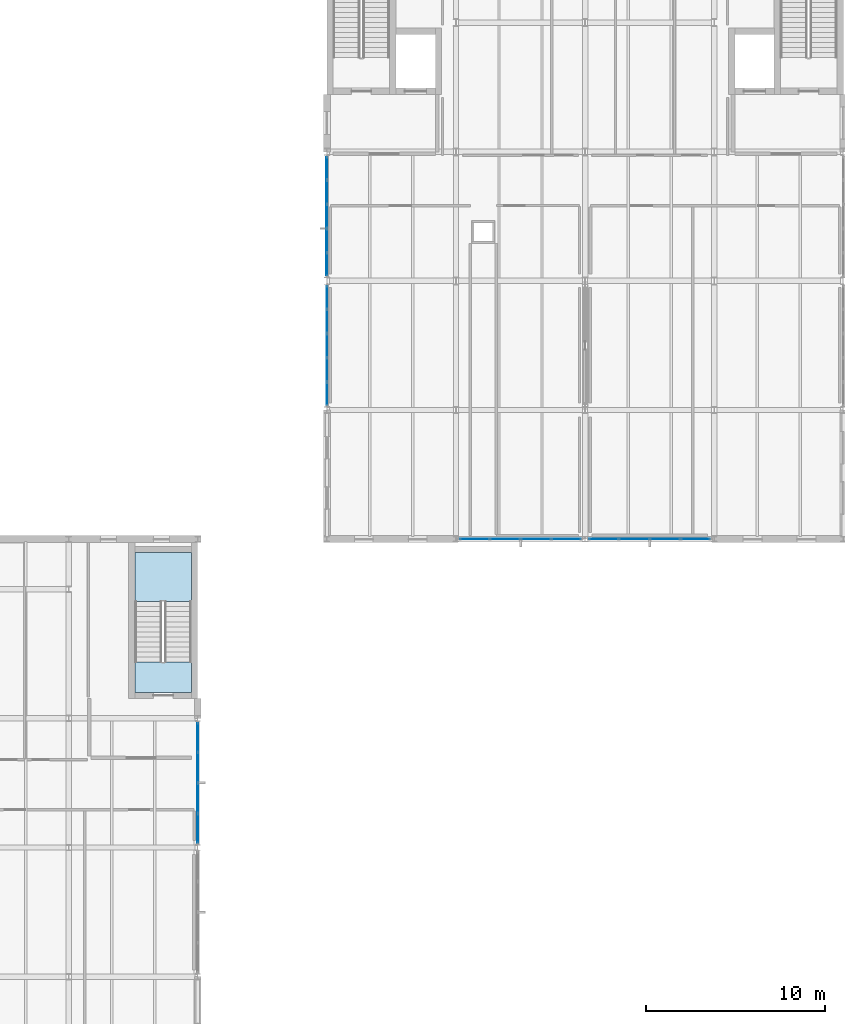
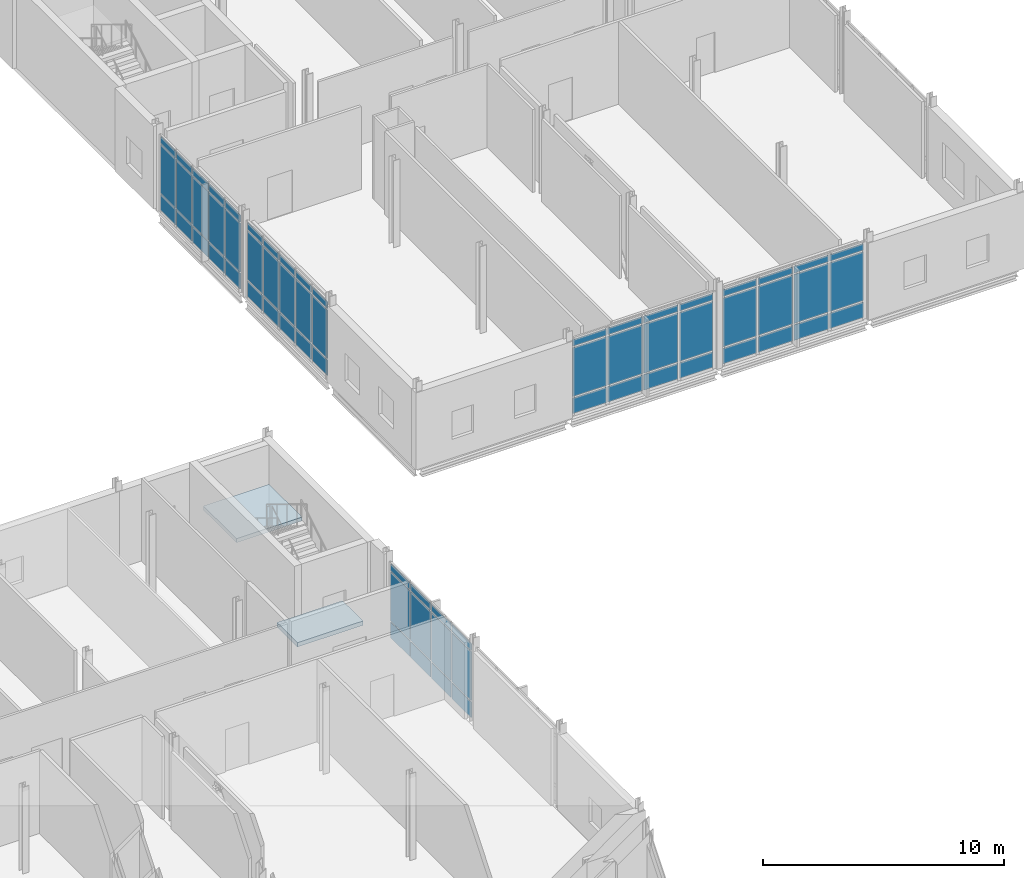
# One storey, part 39 of 72: 66 plates, 2 slabs, 6 elements without a shape of their own.
"""IFC4 building model written with IfcOpenShell, lengths in metres."""

from ifc_helpers import new_model, si_unit, direction, frame, origin, origin_2d, place, context, subcontext, project, spatial, polyline, rectangle, outline, extrude, material, layer, layer_set, type_object, element, aggregate, save


model = new_model("IFC4")

# Units and contexts
model_context = context("Model", 3, precision=1e-05, world=origin(), true_north=direction((0.0, 1.0)))
body_context = subcontext(model_context, "Body", "Model", "MODEL_VIEW")
ifc_project = project(units=[si_unit("LENGTHUNIT", "METRE"), si_unit("AREAUNIT", "SQUARE_METRE"), si_unit("VOLUMEUNIT", "CUBIC_METRE"), si_unit("PLANEANGLEUNIT", "RADIAN"), si_unit("MASSUNIT", "GRAM", prefix="KILO")], contexts=[model_context])

# Site, building, storey
site_placement = place(None, origin())
site = spatial("IfcSite", under=ifc_project, at=site_placement, CompositionType="ELEMENT")
building_placement = place(site_placement, origin())
building = spatial("IfcBuilding", under=site, at=building_placement, Name="Zarrinpeak Specialist Clinic", CompositionType="ELEMENT")
storey_placement = place(building_placement, frame((0.0, 0.0, 9.60009765625)))
storey = spatial("IfcBuildingStorey", under=building, at=storey_placement, Name="L02", CompositionType="ELEMENT", Elevation=9.60009765625)

# Curtain wall, plates
ifc_material_1 = material(Name="Anodised Aluminium Alloy 6063-T6", Category="aluminium")
ifc_layer_1 = layer(ifc_material_1, 0.179931640625)
ifc_layer_set_1 = layer_set([ifc_layer_1], Name="Anodised Aluminium Alloy 6063-T6")
curtain_wall_type_1 = type_object("IfcCurtainWallType", Name="CW-COURT", PredefinedType="NOTDEFINED", material=ifc_layer_set_1)
curtain_wall_1_placement = place(storey_placement, origin())
curtain_wall_1 = element("IfcCurtainWall", 1, at=curtain_wall_1_placement, inside=storey, type_object=curtain_wall_type_1, Name="L02 V6 Unitised Curtain Wall CW-L02-V6-141", PredefinedType="NOTDEFINED")
ifc_material_2 = material(Name="Double Low-E Insulated Glazing", Category="glass")
ifc_layer_2 = layer(ifc_material_2, 0.028076171875)
ifc_layer_set_2 = layer_set([ifc_layer_2], Name="Double Low-E Insulated Glazing")
plate_type_1 = type_object("IfcPlateType", Name="CWP-GLZ28", PredefinedType="CURTAIN_PANEL", material=ifc_layer_set_2)
plate_1_placement = place(storey_placement, frame((44.242431640625, 82.0, 0.074951171875), z_axis=(0.0, 0.0, 1.0), x_axis=(1.0, 0.0, 0.0)))
plate_1 = element("IfcPlate", 2, at=plate_1_placement, type_object=plate_type_1, Name="CW-01 panel 1.1", PredefinedType="CURTAIN_PANEL", context=body_context, shape_type="SweptSolid", body=[
    extrude(rectangle(XDim=1.60498046875, YDim=0.028076171875, at=origin_2d()), origin(), (0.0, 0.0, 1.0), 0.78759765625),
])
plate_2_placement = place(storey_placement, frame((44.242431640625, 82.0, 0.937255859375), z_axis=(0.0, 0.0, 1.0), x_axis=(1.0, 0.0, 0.0)))
plate_2 = element("IfcPlate", 3, at=plate_2_placement, type_object=plate_type_1, Name="CW-01 panel 1.2", PredefinedType="CURTAIN_PANEL", context=body_context, shape_type="SweptSolid", body=[
    extrude(rectangle(XDim=1.60498046875, YDim=0.028076171875, at=origin_2d()), origin(), (0.0, 0.0, 1.0), 2.47509765625),
])
plate_3_placement = place(storey_placement, frame((44.242431640625, 82.0, 3.487548828125), z_axis=(0.0, 0.0, 1.0), x_axis=(1.0, 0.0, 0.0)))
plate_3 = element("IfcPlate", 4, at=plate_3_placement, type_object=plate_type_1, Name="CW-01 panel 1.3", PredefinedType="CURTAIN_PANEL", context=body_context, shape_type="SweptSolid", body=[
    extrude(rectangle(XDim=1.60498046875, YDim=0.028076171875, at=origin_2d()), origin(), (0.0, 0.0, 1.0), 0.33740234375),
])
plate_4_placement = place(storey_placement, frame((45.941162109375, 82.0, 0.074951171875), z_axis=(0.0, 0.0, 1.0), x_axis=(1.0, 0.0, 0.0)))
plate_4 = element("IfcPlate", 5, at=plate_4_placement, type_object=plate_type_1, Name="CW-01 panel 2.1", PredefinedType="CURTAIN_PANEL", context=body_context, shape_type="SweptSolid", body=[
    extrude(rectangle(XDim=1.642578125, YDim=0.028076171875, at=origin_2d()), origin(), (0.0, 0.0, 1.0), 0.78759765625),
])
plate_5_placement = place(storey_placement, frame((45.941162109375, 82.0, 0.937255859375), z_axis=(0.0, 0.0, 1.0), x_axis=(1.0, 0.0, 0.0)))
plate_5 = element("IfcPlate", 6, at=plate_5_placement, type_object=plate_type_1, Name="CW-01 panel 2.2", PredefinedType="CURTAIN_PANEL", context=body_context, shape_type="SweptSolid", body=[
    extrude(rectangle(XDim=1.642578125, YDim=0.028076171875, at=origin_2d()), origin(), (0.0, 0.0, 1.0), 2.47509765625),
])
plate_6_placement = place(storey_placement, frame((45.941162109375, 82.0, 3.487548828125), z_axis=(0.0, 0.0, 1.0), x_axis=(1.0, 0.0, 0.0)))
plate_6 = element("IfcPlate", 7, at=plate_6_placement, type_object=plate_type_1, Name="CW-01 panel 2.3", PredefinedType="CURTAIN_PANEL", context=body_context, shape_type="SweptSolid", body=[
    extrude(rectangle(XDim=1.642578125, YDim=0.028076171875, at=origin_2d()), origin(), (0.0, 0.0, 1.0), 0.33740234375),
])
plate_7_placement = place(storey_placement, frame((47.65869140625, 82.0, 0.074951171875), z_axis=(0.0, 0.0, 1.0), x_axis=(1.0, 0.0, 0.0)))
plate_7 = element("IfcPlate", 8, at=plate_7_placement, type_object=plate_type_1, Name="CW-01 panel 3.1", PredefinedType="CURTAIN_PANEL", context=body_context, shape_type="SweptSolid", body=[
    extrude(rectangle(XDim=1.642578125, YDim=0.028076171875, at=origin_2d()), origin(), (0.0, 0.0, 1.0), 0.78759765625),
])
plate_8_placement = place(storey_placement, frame((47.65869140625, 82.0, 0.937255859375), z_axis=(0.0, 0.0, 1.0), x_axis=(1.0, 0.0, 0.0)))
plate_8 = element("IfcPlate", 9, at=plate_8_placement, type_object=plate_type_1, Name="CW-01 panel 3.2", PredefinedType="CURTAIN_PANEL", context=body_context, shape_type="SweptSolid", body=[
    extrude(rectangle(XDim=1.642578125, YDim=0.028076171875, at=origin_2d()), origin(), (0.0, 0.0, 1.0), 2.47509765625),
])
plate_9_placement = place(storey_placement, frame((47.65869140625, 82.0, 3.487548828125), z_axis=(0.0, 0.0, 1.0), x_axis=(1.0, 0.0, 0.0)))
plate_9 = element("IfcPlate", 10, at=plate_9_placement, type_object=plate_type_1, Name="CW-01 panel 3.3", PredefinedType="CURTAIN_PANEL", context=body_context, shape_type="SweptSolid", body=[
    extrude(rectangle(XDim=1.642578125, YDim=0.028076171875, at=origin_2d()), origin(), (0.0, 0.0, 1.0), 0.33740234375),
])
plate_10_placement = place(storey_placement, frame((49.357421875, 82.0, 0.074951171875), z_axis=(0.0, 0.0, 1.0), x_axis=(1.0, 0.0, 0.0)))
plate_10 = element("IfcPlate", 11, at=plate_10_placement, type_object=plate_type_1, Name="CW-01 panel 4.1", PredefinedType="CURTAIN_PANEL", context=body_context, shape_type="SweptSolid", body=[
    extrude(rectangle(XDim=1.60498046875, YDim=0.028076171875, at=origin_2d()), origin(), (0.0, 0.0, 1.0), 0.78759765625),
])
plate_11_placement = place(storey_placement, frame((49.357421875, 82.0, 0.937255859375), z_axis=(0.0, 0.0, 1.0), x_axis=(1.0, 0.0, 0.0)))
plate_11 = element("IfcPlate", 12, at=plate_11_placement, type_object=plate_type_1, Name="CW-01 panel 4.2", PredefinedType="CURTAIN_PANEL", context=body_context, shape_type="SweptSolid", body=[
    extrude(rectangle(XDim=1.60498046875, YDim=0.028076171875, at=origin_2d()), origin(), (0.0, 0.0, 1.0), 2.47509765625),
])
plate_12_placement = place(storey_placement, frame((49.357421875, 82.0, 3.487548828125), z_axis=(0.0, 0.0, 1.0), x_axis=(1.0, 0.0, 0.0)))
plate_12 = element("IfcPlate", 13, at=plate_12_placement, type_object=plate_type_1, Name="CW-01 panel 4.3", PredefinedType="CURTAIN_PANEL", context=body_context, shape_type="SweptSolid", body=[
    extrude(rectangle(XDim=1.60498046875, YDim=0.028076171875, at=origin_2d()), origin(), (0.0, 0.0, 1.0), 0.33740234375),
])
aggregate(curtain_wall_1, [plate_1, plate_2, plate_3, plate_4, plate_5, plate_6, plate_7, plate_8, plate_9, plate_10, plate_11, plate_12])

curtain_wall_2_placement = place(storey_placement, origin())
curtain_wall_2 = element("IfcCurtainWall", 14, at=curtain_wall_2_placement, inside=storey, type_object=curtain_wall_type_1, Name="L02 V6 Unitised Curtain Wall CW-L02-V6-142", PredefinedType="NOTDEFINED")
plate_13_placement = place(storey_placement, frame((51.4423828125, 82.0, 0.074951171875), z_axis=(0.0, 0.0, 1.0), x_axis=(1.0, 0.0, 0.0)))
plate_13 = element("IfcPlate", 15, at=plate_13_placement, type_object=plate_type_1, Name="CW-01 panel 1.1", PredefinedType="CURTAIN_PANEL", context=body_context, shape_type="SweptSolid", body=[
    extrude(rectangle(XDim=1.60498046875, YDim=0.028076171875, at=origin_2d()), origin(), (0.0, 0.0, 1.0), 0.78759765625),
])
plate_14_placement = place(storey_placement, frame((51.4423828125, 82.0, 0.937255859375), z_axis=(0.0, 0.0, 1.0), x_axis=(1.0, 0.0, 0.0)))
plate_14 = element("IfcPlate", 16, at=plate_14_placement, type_object=plate_type_1, Name="CW-01 panel 1.2", PredefinedType="CURTAIN_PANEL", context=body_context, shape_type="SweptSolid", body=[
    extrude(rectangle(XDim=1.60498046875, YDim=0.028076171875, at=origin_2d()), origin(), (0.0, 0.0, 1.0), 2.47509765625),
])
plate_15_placement = place(storey_placement, frame((51.4423828125, 82.0, 3.487548828125), z_axis=(0.0, 0.0, 1.0), x_axis=(1.0, 0.0, 0.0)))
plate_15 = element("IfcPlate", 17, at=plate_15_placement, type_object=plate_type_1, Name="CW-01 panel 1.3", PredefinedType="CURTAIN_PANEL", context=body_context, shape_type="SweptSolid", body=[
    extrude(rectangle(XDim=1.60498046875, YDim=0.028076171875, at=origin_2d()), origin(), (0.0, 0.0, 1.0), 0.33740234375),
])
plate_16_placement = place(storey_placement, frame((53.141357421875, 82.0, 0.074951171875), z_axis=(0.0, 0.0, 1.0), x_axis=(1.0, 0.0, 0.0)))
plate_16 = element("IfcPlate", 18, at=plate_16_placement, type_object=plate_type_1, Name="CW-01 panel 2.1", PredefinedType="CURTAIN_PANEL", context=body_context, shape_type="SweptSolid", body=[
    extrude(rectangle(XDim=1.642578125, YDim=0.028076171875, at=origin_2d()), origin(), (0.0, 0.0, 1.0), 0.78759765625),
])
plate_17_placement = place(storey_placement, frame((53.141357421875, 82.0, 0.937255859375), z_axis=(0.0, 0.0, 1.0), x_axis=(1.0, 0.0, 0.0)))
plate_17 = element("IfcPlate", 19, at=plate_17_placement, type_object=plate_type_1, Name="CW-01 panel 2.2", PredefinedType="CURTAIN_PANEL", context=body_context, shape_type="SweptSolid", body=[
    extrude(rectangle(XDim=1.642578125, YDim=0.028076171875, at=origin_2d()), origin(), (0.0, 0.0, 1.0), 2.47509765625),
])
plate_18_placement = place(storey_placement, frame((53.141357421875, 82.0, 3.487548828125), z_axis=(0.0, 0.0, 1.0), x_axis=(1.0, 0.0, 0.0)))
plate_18 = element("IfcPlate", 20, at=plate_18_placement, type_object=plate_type_1, Name="CW-01 panel 2.3", PredefinedType="CURTAIN_PANEL", context=body_context, shape_type="SweptSolid", body=[
    extrude(rectangle(XDim=1.642578125, YDim=0.028076171875, at=origin_2d()), origin(), (0.0, 0.0, 1.0), 0.33740234375),
])
plate_19_placement = place(storey_placement, frame((54.858642578125, 82.0, 0.074951171875), z_axis=(0.0, 0.0, 1.0), x_axis=(1.0, 0.0, 0.0)))
plate_19 = element("IfcPlate", 21, at=plate_19_placement, type_object=plate_type_1, Name="CW-01 panel 3.1", PredefinedType="CURTAIN_PANEL", context=body_context, shape_type="SweptSolid", body=[
    extrude(rectangle(XDim=1.642578125, YDim=0.028076171875, at=origin_2d()), origin(), (0.0, 0.0, 1.0), 0.78759765625),
])
plate_20_placement = place(storey_placement, frame((54.858642578125, 82.0, 0.937255859375), z_axis=(0.0, 0.0, 1.0), x_axis=(1.0, 0.0, 0.0)))
plate_20 = element("IfcPlate", 22, at=plate_20_placement, type_object=plate_type_1, Name="CW-01 panel 3.2", PredefinedType="CURTAIN_PANEL", context=body_context, shape_type="SweptSolid", body=[
    extrude(rectangle(XDim=1.642578125, YDim=0.028076171875, at=origin_2d()), origin(), (0.0, 0.0, 1.0), 2.47509765625),
])
plate_21_placement = place(storey_placement, frame((54.858642578125, 82.0, 3.487548828125), z_axis=(0.0, 0.0, 1.0), x_axis=(1.0, 0.0, 0.0)))
plate_21 = element("IfcPlate", 23, at=plate_21_placement, type_object=plate_type_1, Name="CW-01 panel 3.3", PredefinedType="CURTAIN_PANEL", context=body_context, shape_type="SweptSolid", body=[
    extrude(rectangle(XDim=1.642578125, YDim=0.028076171875, at=origin_2d()), origin(), (0.0, 0.0, 1.0), 0.33740234375),
])
plate_22_placement = place(storey_placement, frame((56.5576171875, 82.0, 0.074951171875), z_axis=(0.0, 0.0, 1.0), x_axis=(1.0, 0.0, 0.0)))
plate_22 = element("IfcPlate", 24, at=plate_22_placement, type_object=plate_type_1, Name="CW-01 panel 4.1", PredefinedType="CURTAIN_PANEL", context=body_context, shape_type="SweptSolid", body=[
    extrude(rectangle(XDim=1.60498046875, YDim=0.028076171875, at=origin_2d()), origin(), (0.0, 0.0, 1.0), 0.78759765625),
])
plate_23_placement = place(storey_placement, frame((56.5576171875, 82.0, 0.937255859375), z_axis=(0.0, 0.0, 1.0), x_axis=(1.0, 0.0, 0.0)))
plate_23 = element("IfcPlate", 25, at=plate_23_placement, type_object=plate_type_1, Name="CW-01 panel 4.2", PredefinedType="CURTAIN_PANEL", context=body_context, shape_type="SweptSolid", body=[
    extrude(rectangle(XDim=1.60498046875, YDim=0.028076171875, at=origin_2d()), origin(), (0.0, 0.0, 1.0), 2.47509765625),
])
plate_24_placement = place(storey_placement, frame((56.5576171875, 82.0, 3.487548828125), z_axis=(0.0, 0.0, 1.0), x_axis=(1.0, 0.0, 0.0)))
plate_24 = element("IfcPlate", 26, at=plate_24_placement, type_object=plate_type_1, Name="CW-01 panel 4.3", PredefinedType="CURTAIN_PANEL", context=body_context, shape_type="SweptSolid", body=[
    extrude(rectangle(XDim=1.60498046875, YDim=0.028076171875, at=origin_2d()), origin(), (0.0, 0.0, 1.0), 0.33740234375),
])
aggregate(curtain_wall_2, [plate_13, plate_14, plate_15, plate_16, plate_17, plate_18, plate_19, plate_20, plate_21, plate_22, plate_23, plate_24])

ifc_layer_3 = layer(ifc_material_1, 0.1650390625)
ifc_layer_set_3 = layer_set([ifc_layer_3], Name="Anodised Aluminium Alloy 6063-T6")
curtain_wall_type_2 = type_object("IfcCurtainWallType", Name="CW-CLINIC", PredefinedType="NOTDEFINED", material=ifc_layer_set_3)
curtain_wall_3_placement = place(storey_placement, origin())
curtain_wall_3 = element("IfcCurtainWall", 27, at=curtain_wall_3_placement, inside=storey, type_object=curtain_wall_type_2, Name="L02 V6 Unitised Curtain Wall CW-L02-V6-143", PredefinedType="NOTDEFINED")
plate_25_placement = place(storey_placement, frame((36.0, 95.479248046875, 0.074951171875), z_axis=(0.0, 0.0, 1.0), x_axis=(0.0, -1.0, 0.0)))
plate_25 = element("IfcPlate", 28, at=plate_25_placement, type_object=plate_type_1, Name="CW-03 panel 1.1", PredefinedType="CURTAIN_PANEL", context=body_context, shape_type="SweptSolid", body=[
    extrude(rectangle(XDim=1.241455078125, YDim=0.028076171875, at=origin_2d()), origin(), (0.0, 0.0, 1.0), 0.78759765625),
])
plate_26_placement = place(storey_placement, frame((36.0, 95.479248046875, 0.9375), z_axis=(0.0, 0.0, 1.0), x_axis=(0.0, -1.0, 0.0)))
plate_26 = element("IfcPlate", 29, at=plate_26_placement, type_object=plate_type_1, Name="CW-03 panel 1.2", PredefinedType="CURTAIN_PANEL", context=body_context, shape_type="SweptSolid", body=[
    extrude(rectangle(XDim=1.241455078125, YDim=0.028076171875, at=origin_2d()), origin(), (0.0, 0.0, 1.0), 2.4599609375),
])
plate_27_placement = place(storey_placement, frame((36.0, 95.479248046875, 3.472412109375), z_axis=(0.0, 0.0, 1.0), x_axis=(0.0, -1.0, 0.0)))
plate_27 = element("IfcPlate", 30, at=plate_27_placement, type_object=plate_type_1, Name="CW-03 panel 1.3", PredefinedType="CURTAIN_PANEL", context=body_context, shape_type="SweptSolid", body=[
    extrude(rectangle(XDim=1.241455078125, YDim=0.028076171875, at=origin_2d()), origin(), (0.0, 0.0, 1.0), 0.33740234375),
])
plate_28_placement = place(storey_placement, frame((36.0, 94.14404296875, 0.074951171875), z_axis=(0.0, 0.0, 1.0), x_axis=(0.0, -1.0, 0.0)))
plate_28 = element("IfcPlate", 31, at=plate_28_placement, type_object=plate_type_1, Name="CW-03 panel 2.1", PredefinedType="CURTAIN_PANEL", context=body_context, shape_type="SweptSolid", body=[
    extrude(rectangle(XDim=1.279052734375, YDim=0.028076171875, at=origin_2d()), origin(), (0.0, 0.0, 1.0), 0.78759765625),
])
plate_29_placement = place(storey_placement, frame((36.0, 94.14404296875, 0.9375), z_axis=(0.0, 0.0, 1.0), x_axis=(0.0, -1.0, 0.0)))
plate_29 = element("IfcPlate", 32, at=plate_29_placement, type_object=plate_type_1, Name="CW-03 panel 2.2", PredefinedType="CURTAIN_PANEL", context=body_context, shape_type="SweptSolid", body=[
    extrude(rectangle(XDim=1.279052734375, YDim=0.028076171875, at=origin_2d()), origin(), (0.0, 0.0, 1.0), 2.4599609375),
])
plate_30_placement = place(storey_placement, frame((36.0, 94.14404296875, 3.472412109375), z_axis=(0.0, 0.0, 1.0), x_axis=(0.0, -1.0, 0.0)))
plate_30 = element("IfcPlate", 33, at=plate_30_placement, type_object=plate_type_1, Name="CW-03 panel 2.3", PredefinedType="CURTAIN_PANEL", context=body_context, shape_type="SweptSolid", body=[
    extrude(rectangle(XDim=1.279052734375, YDim=0.028076171875, at=origin_2d()), origin(), (0.0, 0.0, 1.0), 0.33740234375),
])
plate_31_placement = place(storey_placement, frame((36.0, 92.7900390625, 0.074951171875), z_axis=(0.0, 0.0, 1.0), x_axis=(0.0, -1.0, 0.0)))
plate_31 = element("IfcPlate", 34, at=plate_31_placement, type_object=plate_type_1, Name="CW-03 panel 3.1", PredefinedType="CURTAIN_PANEL", context=body_context, shape_type="SweptSolid", body=[
    extrude(rectangle(XDim=1.279052734375, YDim=0.028076171875, at=origin_2d()), origin(), (0.0, 0.0, 1.0), 0.78759765625),
])
plate_32_placement = place(storey_placement, frame((36.0, 92.7900390625, 0.9375), z_axis=(0.0, 0.0, 1.0), x_axis=(0.0, -1.0, 0.0)))
plate_32 = element("IfcPlate", 35, at=plate_32_placement, type_object=plate_type_1, Name="CW-03 panel 3.2", PredefinedType="CURTAIN_PANEL", context=body_context, shape_type="SweptSolid", body=[
    extrude(rectangle(XDim=1.279052734375, YDim=0.028076171875, at=origin_2d()), origin(), (0.0, 0.0, 1.0), 2.4599609375),
])
plate_33_placement = place(storey_placement, frame((36.0, 92.7900390625, 3.472412109375), z_axis=(0.0, 0.0, 1.0), x_axis=(0.0, -1.0, 0.0)))
plate_33 = element("IfcPlate", 36, at=plate_33_placement, type_object=plate_type_1, Name="CW-03 panel 3.3", PredefinedType="CURTAIN_PANEL", context=body_context, shape_type="SweptSolid", body=[
    extrude(rectangle(XDim=1.279052734375, YDim=0.028076171875, at=origin_2d()), origin(), (0.0, 0.0, 1.0), 0.33740234375),
])
plate_34_placement = place(storey_placement, frame((36.0, 91.43603515625, 0.074951171875), z_axis=(0.0, 0.0, 1.0), x_axis=(0.0, -1.0, 0.0)))
plate_34 = element("IfcPlate", 37, at=plate_34_placement, type_object=plate_type_1, Name="CW-03 panel 4.1", PredefinedType="CURTAIN_PANEL", context=body_context, shape_type="SweptSolid", body=[
    extrude(rectangle(XDim=1.279052734375, YDim=0.028076171875, at=origin_2d()), origin(), (0.0, 0.0, 1.0), 0.78759765625),
])
plate_35_placement = place(storey_placement, frame((36.0, 91.43603515625, 0.9375), z_axis=(0.0, 0.0, 1.0), x_axis=(0.0, -1.0, 0.0)))
plate_35 = element("IfcPlate", 38, at=plate_35_placement, type_object=plate_type_1, Name="CW-03 panel 4.2", PredefinedType="CURTAIN_PANEL", context=body_context, shape_type="SweptSolid", body=[
    extrude(rectangle(XDim=1.279052734375, YDim=0.028076171875, at=origin_2d()), origin(), (0.0, 0.0, 1.0), 2.4599609375),
])
plate_36_placement = place(storey_placement, frame((36.0, 91.43603515625, 3.472412109375), z_axis=(0.0, 0.0, 1.0), x_axis=(0.0, -1.0, 0.0)))
plate_36 = element("IfcPlate", 39, at=plate_36_placement, type_object=plate_type_1, Name="CW-03 panel 4.3", PredefinedType="CURTAIN_PANEL", context=body_context, shape_type="SweptSolid", body=[
    extrude(rectangle(XDim=1.279052734375, YDim=0.028076171875, at=origin_2d()), origin(), (0.0, 0.0, 1.0), 0.33740234375),
])
plate_37_placement = place(storey_placement, frame((36.0, 90.100830078125, 0.074951171875), z_axis=(0.0, 0.0, 1.0), x_axis=(0.0, -1.0, 0.0)))
plate_37 = element("IfcPlate", 40, at=plate_37_placement, type_object=plate_type_1, Name="CW-03 panel 5.1", PredefinedType="CURTAIN_PANEL", context=body_context, shape_type="SweptSolid", body=[
    extrude(rectangle(XDim=1.241455078125, YDim=0.028076171875, at=origin_2d()), origin(), (0.0, 0.0, 1.0), 0.78759765625),
])
plate_38_placement = place(storey_placement, frame((36.0, 90.100830078125, 0.9375), z_axis=(0.0, 0.0, 1.0), x_axis=(0.0, -1.0, 0.0)))
plate_38 = element("IfcPlate", 41, at=plate_38_placement, type_object=plate_type_1, Name="CW-03 panel 5.2", PredefinedType="CURTAIN_PANEL", context=body_context, shape_type="SweptSolid", body=[
    extrude(rectangle(XDim=1.241455078125, YDim=0.028076171875, at=origin_2d()), origin(), (0.0, 0.0, 1.0), 2.4599609375),
])
plate_39_placement = place(storey_placement, frame((36.0, 90.100830078125, 3.472412109375), z_axis=(0.0, 0.0, 1.0), x_axis=(0.0, -1.0, 0.0)))
plate_39 = element("IfcPlate", 42, at=plate_39_placement, type_object=plate_type_1, Name="CW-03 panel 5.3", PredefinedType="CURTAIN_PANEL", context=body_context, shape_type="SweptSolid", body=[
    extrude(rectangle(XDim=1.241455078125, YDim=0.028076171875, at=origin_2d()), origin(), (0.0, 0.0, 1.0), 0.33740234375),
])
aggregate(curtain_wall_3, [plate_25, plate_26, plate_27, plate_28, plate_29, plate_30, plate_31, plate_32, plate_33, plate_34, plate_35, plate_36, plate_37, plate_38, plate_39])

curtain_wall_4_placement = place(storey_placement, origin())
curtain_wall_4 = element("IfcCurtainWall", 43, at=curtain_wall_4_placement, inside=storey, type_object=curtain_wall_type_1, Name="L02 V5 Unitised Curtain Wall CW-L02-V5-126", PredefinedType="NOTDEFINED")
ifc_material_3 = material(Name="Triple Acoustic Low-E Glazing", Category="glass")
ifc_layer_4 = layer(ifc_material_3, 0.035888671875)
ifc_layer_set_4 = layer_set([ifc_layer_4], Name="Triple Acoustic Low-E Glazing")
plate_type_2 = type_object("IfcPlateType", Name="CWP-GLZ36", PredefinedType="CURTAIN_PANEL", material=ifc_layer_set_4)
plate_40_placement = place(storey_placement, frame((28.800048828125, 65.857421875, 0.074951171875), z_axis=(0.0, 0.0, 1.0), x_axis=(0.0, 1.0, 0.0)))
plate_40 = element("IfcPlate", 44, at=plate_40_placement, type_object=plate_type_2, Name="CW-01 panel 1.1", PredefinedType="CURTAIN_PANEL", context=body_context, shape_type="SweptSolid", body=[
    extrude(rectangle(XDim=1.594970703125, YDim=0.035888671875, at=origin_2d()), origin(), (0.0, 0.0, 1.0), 0.78759765625),
])
plate_41_placement = place(storey_placement, frame((28.800048828125, 65.857421875, 0.9375), z_axis=(0.0, 0.0, 1.0), x_axis=(0.0, 1.0, 0.0)))
plate_41 = element("IfcPlate", 45, at=plate_41_placement, type_object=plate_type_2, Name="CW-01 panel 1.2", PredefinedType="CURTAIN_PANEL", context=body_context, shape_type="SweptSolid", body=[
    extrude(rectangle(XDim=1.594970703125, YDim=0.035888671875, at=origin_2d()), origin(), (0.0, 0.0, 1.0), 2.4599609375),
])
plate_42_placement = place(storey_placement, frame((28.800048828125, 65.857421875, 3.472412109375), z_axis=(0.0, 0.0, 1.0), x_axis=(0.0, 1.0, 0.0)))
plate_42 = element("IfcPlate", 46, at=plate_42_placement, type_object=plate_type_2, Name="CW-01 panel 1.3", PredefinedType="CURTAIN_PANEL", context=body_context, shape_type="SweptSolid", body=[
    extrude(rectangle(XDim=1.594970703125, YDim=0.035888671875, at=origin_2d()), origin(), (0.0, 0.0, 1.0), 0.33740234375),
])
plate_43_placement = place(storey_placement, frame((28.800048828125, 67.546142578125, 0.074951171875), z_axis=(0.0, 0.0, 1.0), x_axis=(0.0, 1.0, 0.0)))
plate_43 = element("IfcPlate", 47, at=plate_43_placement, type_object=plate_type_2, Name="CW-01 panel 2.1", PredefinedType="CURTAIN_PANEL", context=body_context, shape_type="SweptSolid", body=[
    extrude(rectangle(XDim=1.632568359375, YDim=0.035888671875, at=origin_2d()), origin(), (0.0, 0.0, 1.0), 0.78759765625),
])
plate_44_placement = place(storey_placement, frame((28.800048828125, 67.546142578125, 0.9375), z_axis=(0.0, 0.0, 1.0), x_axis=(0.0, 1.0, 0.0)))
plate_44 = element("IfcPlate", 48, at=plate_44_placement, type_object=plate_type_2, Name="CW-01 panel 2.2", PredefinedType="CURTAIN_PANEL", context=body_context, shape_type="SweptSolid", body=[
    extrude(rectangle(XDim=1.632568359375, YDim=0.035888671875, at=origin_2d()), origin(), (0.0, 0.0, 1.0), 2.4599609375),
])
plate_45_placement = place(storey_placement, frame((28.800048828125, 67.546142578125, 3.472412109375), z_axis=(0.0, 0.0, 1.0), x_axis=(0.0, 1.0, 0.0)))
plate_45 = element("IfcPlate", 49, at=plate_45_placement, type_object=plate_type_2, Name="CW-01 panel 2.3", PredefinedType="CURTAIN_PANEL", context=body_context, shape_type="SweptSolid", body=[
    extrude(rectangle(XDim=1.632568359375, YDim=0.035888671875, at=origin_2d()), origin(), (0.0, 0.0, 1.0), 0.33740234375),
])
plate_46_placement = place(storey_placement, frame((28.800048828125, 69.253662109375, 0.074951171875), z_axis=(0.0, 0.0, 1.0), x_axis=(0.0, 1.0, 0.0)))
plate_46 = element("IfcPlate", 50, at=plate_46_placement, type_object=plate_type_2, Name="CW-01 panel 3.1", PredefinedType="CURTAIN_PANEL", context=body_context, shape_type="SweptSolid", body=[
    extrude(rectangle(XDim=1.632568359375, YDim=0.035888671875, at=origin_2d()), origin(), (0.0, 0.0, 1.0), 0.78759765625),
])
plate_47_placement = place(storey_placement, frame((28.800048828125, 69.253662109375, 0.9375), z_axis=(0.0, 0.0, 1.0), x_axis=(0.0, 1.0, 0.0)))
plate_47 = element("IfcPlate", 51, at=plate_47_placement, type_object=plate_type_2, Name="CW-01 panel 3.2", PredefinedType="CURTAIN_PANEL", context=body_context, shape_type="SweptSolid", body=[
    extrude(rectangle(XDim=1.632568359375, YDim=0.035888671875, at=origin_2d()), origin(), (0.0, 0.0, 1.0), 2.4599609375),
])
plate_48_placement = place(storey_placement, frame((28.800048828125, 69.253662109375, 3.472412109375), z_axis=(0.0, 0.0, 1.0), x_axis=(0.0, 1.0, 0.0)))
plate_48 = element("IfcPlate", 52, at=plate_48_placement, type_object=plate_type_2, Name="CW-01 panel 3.3", PredefinedType="CURTAIN_PANEL", context=body_context, shape_type="SweptSolid", body=[
    extrude(rectangle(XDim=1.632568359375, YDim=0.035888671875, at=origin_2d()), origin(), (0.0, 0.0, 1.0), 0.33740234375),
])
plate_49_placement = place(storey_placement, frame((28.800048828125, 70.9423828125, 0.074951171875), z_axis=(0.0, 0.0, 1.0), x_axis=(0.0, 1.0, 0.0)))
plate_49 = element("IfcPlate", 53, at=plate_49_placement, type_object=plate_type_2, Name="CW-01 panel 4.1", PredefinedType="CURTAIN_PANEL", context=body_context, shape_type="SweptSolid", body=[
    extrude(rectangle(XDim=1.594970703125, YDim=0.035888671875, at=origin_2d()), origin(), (0.0, 0.0, 1.0), 0.78759765625),
])
plate_50_placement = place(storey_placement, frame((28.800048828125, 70.9423828125, 0.9375), z_axis=(0.0, 0.0, 1.0), x_axis=(0.0, 1.0, 0.0)))
plate_50 = element("IfcPlate", 54, at=plate_50_placement, type_object=plate_type_2, Name="CW-01 panel 4.2", PredefinedType="CURTAIN_PANEL", context=body_context, shape_type="SweptSolid", body=[
    extrude(rectangle(XDim=1.594970703125, YDim=0.035888671875, at=origin_2d()), origin(), (0.0, 0.0, 1.0), 2.4599609375),
])
plate_51_placement = place(storey_placement, frame((28.800048828125, 70.9423828125, 3.472412109375), z_axis=(0.0, 0.0, 1.0), x_axis=(0.0, 1.0, 0.0)))
plate_51 = element("IfcPlate", 55, at=plate_51_placement, type_object=plate_type_2, Name="CW-01 panel 4.3", PredefinedType="CURTAIN_PANEL", context=body_context, shape_type="SweptSolid", body=[
    extrude(rectangle(XDim=1.594970703125, YDim=0.035888671875, at=origin_2d()), origin(), (0.0, 0.0, 1.0), 0.33740234375),
])
aggregate(curtain_wall_4, [plate_40, plate_41, plate_42, plate_43, plate_44, plate_45, plate_46, plate_47, plate_48, plate_49, plate_50, plate_51])

curtain_wall_5_placement = place(storey_placement, origin())
curtain_wall_5 = element("IfcCurtainWall", 56, at=curtain_wall_5_placement, inside=storey, type_object=curtain_wall_type_2, Name="L02 V6 Unitised Curtain Wall CW-L02-V6-144", PredefinedType="NOTDEFINED")
ifc_material_4 = material(Name="Insulated Aluminium Spandrel Panel", Category="aluminium")
ifc_layer_5 = layer(ifc_material_4, 0.044921875)
ifc_layer_set_5 = layer_set([ifc_layer_5], Name="Insulated Aluminium Spandrel Panel")
plate_type_3 = type_object("IfcPlateType", Name="CWP-SPN45", PredefinedType="CURTAIN_PANEL", material=ifc_layer_set_5)
plate_52_placement = place(storey_placement, frame((36.0, 102.68115234375, 0.074951171875), z_axis=(0.0, 0.0, 1.0), x_axis=(0.0, -1.0, 0.0)))
plate_52 = element("IfcPlate", 57, at=plate_52_placement, type_object=plate_type_3, Name="CW-03 panel 1.1", PredefinedType="CURTAIN_PANEL", context=body_context, shape_type="SweptSolid", body=[
    extrude(rectangle(XDim=1.237548828125, YDim=0.044921875, at=origin_2d()), origin(), (0.0, 0.0, 1.0), 0.78759765625),
])
plate_53_placement = place(storey_placement, frame((36.0, 102.68115234375, 0.9375), z_axis=(0.0, 0.0, 1.0), x_axis=(0.0, -1.0, 0.0)))
plate_53 = element("IfcPlate", 58, at=plate_53_placement, type_object=plate_type_3, Name="CW-03 panel 1.2", PredefinedType="CURTAIN_PANEL", context=body_context, shape_type="SweptSolid", body=[
    extrude(rectangle(XDim=1.237548828125, YDim=0.044921875, at=origin_2d()), origin(), (0.0, 0.0, 1.0), 2.4599609375),
])
plate_54_placement = place(storey_placement, frame((36.0, 102.68115234375, 3.472412109375), z_axis=(0.0, 0.0, 1.0), x_axis=(0.0, -1.0, 0.0)))
plate_54 = element("IfcPlate", 59, at=plate_54_placement, type_object=plate_type_3, Name="CW-03 panel 1.3", PredefinedType="CURTAIN_PANEL", context=body_context, shape_type="SweptSolid", body=[
    extrude(rectangle(XDim=1.237548828125, YDim=0.044921875, at=origin_2d()), origin(), (0.0, 0.0, 1.0), 0.33740234375),
])
plate_55_placement = place(storey_placement, frame((36.0, 101.35009765625, 0.074951171875), z_axis=(0.0, 0.0, 1.0), x_axis=(0.0, -1.0, 0.0)))
plate_55 = element("IfcPlate", 60, at=plate_55_placement, type_object=plate_type_3, Name="CW-03 panel 2.1", PredefinedType="CURTAIN_PANEL", context=body_context, shape_type="SweptSolid", body=[
    extrude(rectangle(XDim=1.27490234375, YDim=0.044921875, at=origin_2d()), origin(), (0.0, 0.0, 1.0), 0.78759765625),
])
plate_56_placement = place(storey_placement, frame((36.0, 101.35009765625, 0.9375), z_axis=(0.0, 0.0, 1.0), x_axis=(0.0, -1.0, 0.0)))
plate_56 = element("IfcPlate", 61, at=plate_56_placement, type_object=plate_type_3, Name="CW-03 panel 2.2", PredefinedType="CURTAIN_PANEL", context=body_context, shape_type="SweptSolid", body=[
    extrude(rectangle(XDim=1.27490234375, YDim=0.044921875, at=origin_2d()), origin(), (0.0, 0.0, 1.0), 2.4599609375),
])
plate_57_placement = place(storey_placement, frame((36.0, 101.35009765625, 3.472412109375), z_axis=(0.0, 0.0, 1.0), x_axis=(0.0, -1.0, 0.0)))
plate_57 = element("IfcPlate", 62, at=plate_57_placement, type_object=plate_type_3, Name="CW-03 panel 2.3", PredefinedType="CURTAIN_PANEL", context=body_context, shape_type="SweptSolid", body=[
    extrude(rectangle(XDim=1.27490234375, YDim=0.044921875, at=origin_2d()), origin(), (0.0, 0.0, 1.0), 0.33740234375),
])
plate_58_placement = place(storey_placement, frame((36.0, 100.0, 0.074951171875), z_axis=(0.0, 0.0, 1.0), x_axis=(0.0, -1.0, 0.0)))
plate_58 = element("IfcPlate", 63, at=plate_58_placement, type_object=plate_type_3, Name="CW-03 panel 3.1", PredefinedType="CURTAIN_PANEL", context=body_context, shape_type="SweptSolid", body=[
    extrude(rectangle(XDim=1.27490234375, YDim=0.044921875, at=origin_2d()), origin(), (0.0, 0.0, 1.0), 0.78759765625),
])
plate_59_placement = place(storey_placement, frame((36.0, 100.0, 0.9375), z_axis=(0.0, 0.0, 1.0), x_axis=(0.0, -1.0, 0.0)))
plate_59 = element("IfcPlate", 64, at=plate_59_placement, type_object=plate_type_3, Name="CW-03 panel 3.2", PredefinedType="CURTAIN_PANEL", context=body_context, shape_type="SweptSolid", body=[
    extrude(rectangle(XDim=1.27490234375, YDim=0.044921875, at=origin_2d()), origin(), (0.0, 0.0, 1.0), 2.4599609375),
])
plate_60_placement = place(storey_placement, frame((36.0, 100.0, 3.472412109375), z_axis=(0.0, 0.0, 1.0), x_axis=(0.0, -1.0, 0.0)))
plate_60 = element("IfcPlate", 65, at=plate_60_placement, type_object=plate_type_3, Name="CW-03 panel 3.3", PredefinedType="CURTAIN_PANEL", context=body_context, shape_type="SweptSolid", body=[
    extrude(rectangle(XDim=1.27490234375, YDim=0.044921875, at=origin_2d()), origin(), (0.0, 0.0, 1.0), 0.33740234375),
])
plate_61_placement = place(storey_placement, frame((36.0, 98.64990234375, 0.074951171875), z_axis=(0.0, 0.0, 1.0), x_axis=(0.0, -1.0, 0.0)))
plate_61 = element("IfcPlate", 66, at=plate_61_placement, type_object=plate_type_3, Name="CW-03 panel 4.1", PredefinedType="CURTAIN_PANEL", context=body_context, shape_type="SweptSolid", body=[
    extrude(rectangle(XDim=1.27490234375, YDim=0.044921875, at=origin_2d()), origin(), (0.0, 0.0, 1.0), 0.78759765625),
])
plate_62_placement = place(storey_placement, frame((36.0, 98.64990234375, 0.9375), z_axis=(0.0, 0.0, 1.0), x_axis=(0.0, -1.0, 0.0)))
plate_62 = element("IfcPlate", 67, at=plate_62_placement, type_object=plate_type_3, Name="CW-03 panel 4.2", PredefinedType="CURTAIN_PANEL", context=body_context, shape_type="SweptSolid", body=[
    extrude(rectangle(XDim=1.27490234375, YDim=0.044921875, at=origin_2d()), origin(), (0.0, 0.0, 1.0), 2.4599609375),
])
plate_63_placement = place(storey_placement, frame((36.0, 98.64990234375, 3.472412109375), z_axis=(0.0, 0.0, 1.0), x_axis=(0.0, -1.0, 0.0)))
plate_63 = element("IfcPlate", 68, at=plate_63_placement, type_object=plate_type_3, Name="CW-03 panel 4.3", PredefinedType="CURTAIN_PANEL", context=body_context, shape_type="SweptSolid", body=[
    extrude(rectangle(XDim=1.27490234375, YDim=0.044921875, at=origin_2d()), origin(), (0.0, 0.0, 1.0), 0.33740234375),
])
plate_64_placement = place(storey_placement, frame((36.0, 97.31884765625, 0.074951171875), z_axis=(0.0, 0.0, 1.0), x_axis=(0.0, -1.0, 0.0)))
plate_64 = element("IfcPlate", 69, at=plate_64_placement, type_object=plate_type_3, Name="CW-03 panel 5.1", PredefinedType="CURTAIN_PANEL", context=body_context, shape_type="SweptSolid", body=[
    extrude(rectangle(XDim=1.237548828125, YDim=0.044921875, at=origin_2d()), origin(), (0.0, 0.0, 1.0), 0.78759765625),
])
plate_65_placement = place(storey_placement, frame((36.0, 97.31884765625, 0.9375), z_axis=(0.0, 0.0, 1.0), x_axis=(0.0, -1.0, 0.0)))
plate_65 = element("IfcPlate", 70, at=plate_65_placement, type_object=plate_type_3, Name="CW-03 panel 5.2", PredefinedType="CURTAIN_PANEL", context=body_context, shape_type="SweptSolid", body=[
    extrude(rectangle(XDim=1.237548828125, YDim=0.044921875, at=origin_2d()), origin(), (0.0, 0.0, 1.0), 2.4599609375),
])
plate_66_placement = place(storey_placement, frame((36.0, 97.31884765625, 3.472412109375), z_axis=(0.0, 0.0, 1.0), x_axis=(0.0, -1.0, 0.0)))
plate_66 = element("IfcPlate", 71, at=plate_66_placement, type_object=plate_type_3, Name="CW-03 panel 5.3", PredefinedType="CURTAIN_PANEL", context=body_context, shape_type="SweptSolid", body=[
    extrude(rectangle(XDim=1.237548828125, YDim=0.044921875, at=origin_2d()), origin(), (0.0, 0.0, 1.0), 0.33740234375),
])
aggregate(curtain_wall_5, [plate_52, plate_53, plate_54, plate_55, plate_56, plate_57, plate_58, plate_59, plate_60, plate_61, plate_62, plate_63, plate_64, plate_65, plate_66])

# Slab
ifc_material_5 = material(Name="Concrete C35/45", Category="concrete")
ifc_layer_6 = layer(ifc_material_5, 0.215087890625)
ifc_layer_set_6 = layer_set([ifc_layer_6], Name="Concrete C35/45")
slab_type_1 = type_object("IfcSlabType", Name="SL-FLR215", PredefinedType="FLOOR", material=ifc_layer_set_6)
slab_1_placement = place(storey_placement, frame((0.0, 0.0, -0.215087890625)))
element("IfcSlab", 72, at=slab_1_placement, inside=storey, type_object=slab_type_1, Name="L02 Core C10 Stairwell Floor Landing Slab", PredefinedType="FLOOR", context=body_context, shape_type="SweptSolid", body=[
    extrude(outline(polyline([(25.300048828125, 73.449951171875), (28.449951171875, 73.449951171875), (28.449951171875, 75.14990234375), (25.300048828125, 75.14990234375), (25.300048828125, 73.449951171875)])), origin(), (0.0, 0.0, 1.0), 0.215087890625),
])

# Stair, slab
stair_type = type_object("IfcStairType", Name="ST-DOG", PredefinedType="HALF_TURN_STAIR", material=ifc_material_5)
stair_placement = place(storey_placement, origin())
stair = element("IfcStair", 73, at=stair_placement, inside=storey, type_object=stair_type, Name="L02 Protected Exit Stair ST-10", PredefinedType="HALF_TURN_STAIR")
ifc_layer_7 = layer(ifc_material_5, 0.199951171875)
ifc_layer_set_7 = layer_set([ifc_layer_7], Name="Concrete C35/45")
slab_type_2 = type_object("IfcSlabType", Name="SL-LAND200", PredefinedType="LANDING", material=ifc_layer_set_7)
slab_2_placement = place(storey_placement, frame((0.0, 0.0, 2.0)))
slab_2 = element("IfcSlab", 74, at=slab_2_placement, type_object=slab_type_2, Name="ST-10 landing 1", PredefinedType="LANDING", context=body_context, shape_type="SweptSolid", body=[
    extrude(outline(polyline([(28.449951171875, 78.510009765625), (28.449951171875, 81.25), (25.300048828125, 81.25), (25.300048828125, 78.510009765625), (28.449951171875, 78.510009765625)])), origin(), (0.0, 0.0, 1.0), 0.199951171875),
])
aggregate(stair, [slab_2])

save(model, "model.ifc")
